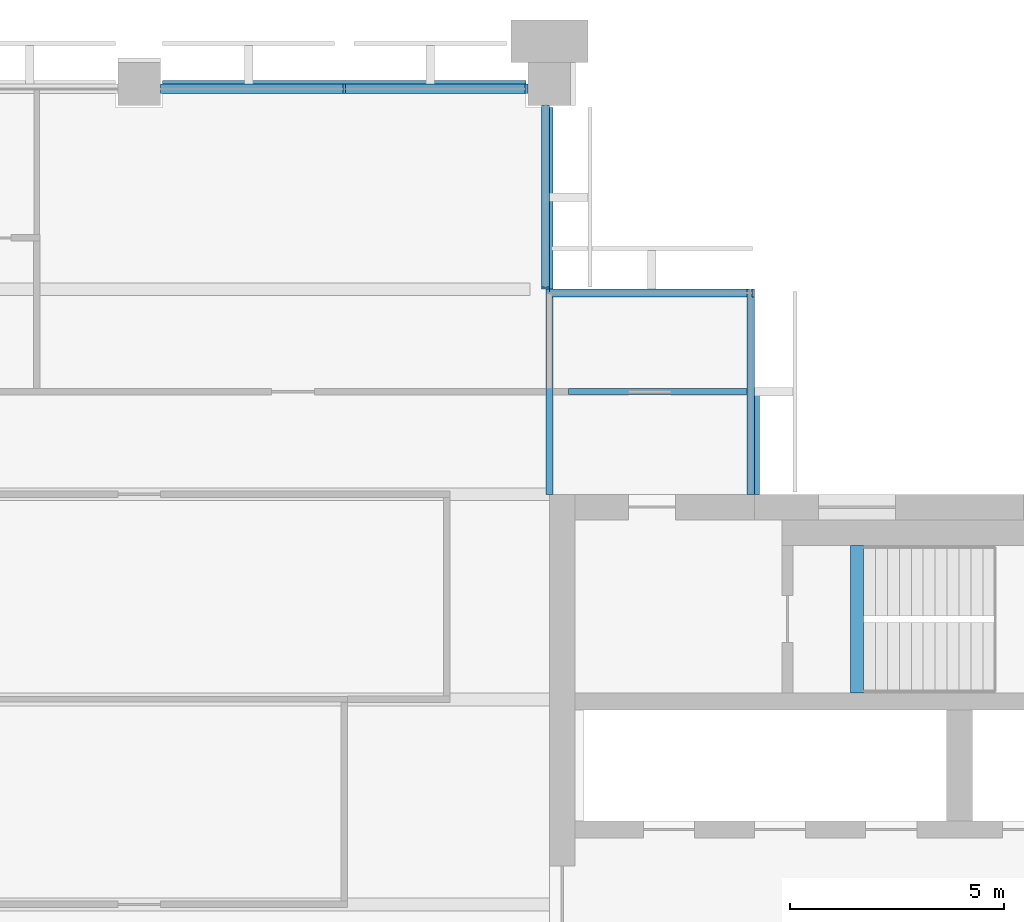
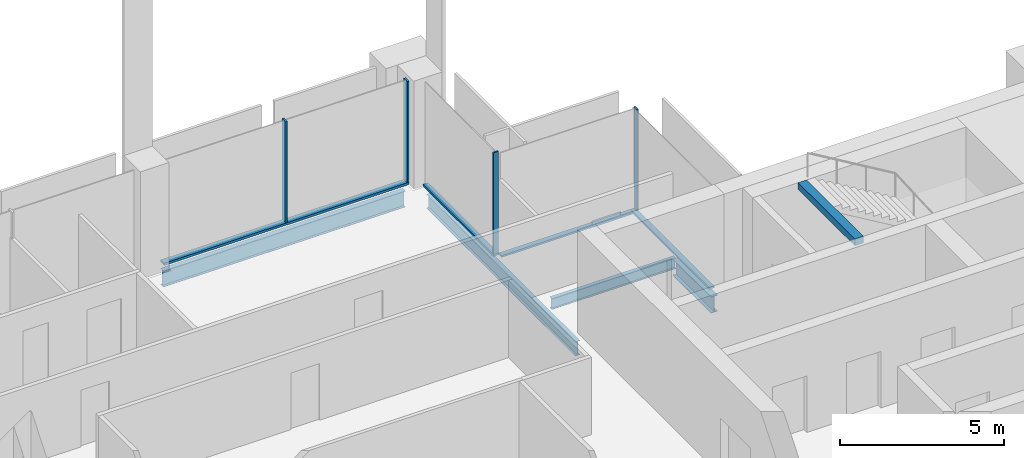
# One storey, part 6 of 12: 8 members, 5 beams, 4 elements without a shape of their own.
"""IFC4 building model written with IfcOpenShell, lengths in metres."""

import ifcopenshell
import ifcopenshell.guid

model = None  # the IFC model being written
_history = None  # IfcOwnerHistory: only IFC2X3 demands one
_inside = {}  # id of a spatial element -> (the spatial element, [elements in it])
_under = {}  # id of a project, library or spatial element -> (it, [spatial elements below it])
_declared = {}  # id of a project -> (the project, [libraries it declares])
_typed = {}  # id of a type object -> (the type object, [elements of that type])
_made_of = {}  # id of a material, layer set ... -> (it, [elements and type objects made of it])


def new_model(schema):
    """Start an empty IFC model of exactly this schema.

    Asked for "IFC4X3", IfcOpenShell would pick the latest addendum, in which some entities
    have other attributes; the version numbers below select the first issue.
    IFC2X3 requires an IfcOwnerHistory on every rooted entity: one is made here for all.
    """
    global model, _history
    if schema == "IFC4X3":
        model = ifcopenshell.file(schema_version=(4, 3, 0, 0))
    else:
        model = ifcopenshell.file(schema=schema)
    _inside.clear()
    _under.clear()
    _declared.clear()
    _typed.clear()
    _made_of.clear()
    _history = None
    if model.schema == "IFC2X3":
        org = make("IfcOrganization", Name="unknown")
        user = make(
            "IfcPersonAndOrganization",
            ThePerson=make("IfcPerson", FamilyName="unknown"),
            TheOrganization=org,
        )
        app = make(
            "IfcApplication",
            ApplicationDeveloper=org,
            Version="unknown",
            ApplicationFullName="unknown",
            ApplicationIdentifier="unknown",
        )
        _history = make(
            "IfcOwnerHistory",
            OwningUser=user,
            OwningApplication=app,
            ChangeAction="ADDED",
            CreationDate=0,
        )
    return model


def make(cls, **values):
    """One entity of the class cls with the attributes given. An attribute that is None is left unset."""
    return model.create_entity(
        cls, **{name: value for name, value in values.items() if value is not None}
    )


def rooted(cls, **values):
    """An entity with a GlobalId (a new one), such as an element, a storey or a relation."""
    return make(cls, GlobalId=ifcopenshell.guid.new(), OwnerHistory=_history, **values)


def si_unit(unit_type, name, prefix=None):
    """IfcSIUnit, for example si_unit("LENGTHUNIT", "METRE", prefix="MILLI")."""
    return make("IfcSIUnit", UnitType=unit_type, Prefix=prefix, Name=name)


def assignment(units):
    """IfcUnitAssignment: the units of a project."""
    return None if units is None else make("IfcUnitAssignment", Units=units)


def point(xyz):
    """IfcCartesianPoint."""
    return None if xyz is None else make("IfcCartesianPoint", Coordinates=xyz)


def direction(xyz):
    """IfcDirection."""
    return None if xyz is None else make("IfcDirection", DirectionRatios=xyz)


def frame(location, z_axis=None, x_axis=None):
    """IfcAxis2Placement3D, a coordinate frame: its origin and axes. An axis left out is left unset."""
    return make(
        "IfcAxis2Placement3D",
        Location=point(location),
        Axis=direction(z_axis),
        RefDirection=direction(x_axis),
    )


def frame_2d(location, x_axis=None):
    """IfcAxis2Placement2D, a coordinate frame in the plane: its origin and x axis."""
    return make(
        "IfcAxis2Placement2D", Location=point(location), RefDirection=direction(x_axis)
    )


def origin():
    """The frame at (0, 0, 0) with its axes left unset."""
    return frame((0.0, 0.0, 0.0))


def origin_2d():
    """The frame at (0, 0) in the plane with its x axis left unset."""
    return frame_2d((0.0, 0.0))


def place(relative_to, where):
    """IfcLocalPlacement: puts the frame where relative to a parent placement (None: the world)."""
    return make(
        "IfcLocalPlacement", PlacementRelTo=relative_to, RelativePlacement=where
    )


def context(
    kind, dimensions, precision=None, world=None, true_north=None, identifier=None
):
    """IfcGeometricRepresentationContext, for example the 3D "Model" context."""
    return make(
        "IfcGeometricRepresentationContext",
        ContextIdentifier=identifier,
        ContextType=kind,
        CoordinateSpaceDimension=dimensions,
        Precision=precision,
        WorldCoordinateSystem=world,
        TrueNorth=true_north,
    )


def subcontext(parent, identifier, kind, view, scale=None):
    """IfcGeometricRepresentationSubContext, for example "Body" below "Model"."""
    return make(
        "IfcGeometricRepresentationSubContext",
        ContextIdentifier=identifier,
        ContextType=kind,
        ParentContext=parent,
        TargetScale=scale,
        TargetView=view,
    )


def project(units=None, contexts=None):
    """IfcProject with its units and contexts."""
    return rooted(
        "IfcProject",
        Name="project",
        RepresentationContexts=contexts,
        UnitsInContext=assignment(units),
    )


def spatial(cls, under=None, at=None, **own):
    """A site, building, storey or space (cls), placed at a placement, below another one or the project."""
    s = rooted(cls, ObjectPlacement=at, **own)
    if under is not None:
        _under.setdefault(under.id(), (under, []))[1].append(s)
    return s


def profile(cls, at=None, kind="AREA", **sizes):
    """A parametric profile (cls). Its sizes go by their IFC names, for example OverallWidth=200.0."""
    return make(cls, ProfileType=kind, Position=at, **sizes)


def rectangle(**sizes):
    """IfcRectangleProfileDef."""
    return profile("IfcRectangleProfileDef", **sizes)


def i_section(**sizes):
    """IfcIShapeProfileDef."""
    return profile("IfcIShapeProfileDef", **sizes)


def extrude(swept, where, along, depth):
    """IfcExtrudedAreaSolid: the profile swept, set in the frame where, extruded along a direction by depth."""
    return make(
        "IfcExtrudedAreaSolid",
        SweptArea=swept,
        Position=where,
        ExtrudedDirection=direction(along),
        Depth=depth,
    )


def shape(context_of_items, identifier, shape_type, items):
    """IfcShapeRepresentation: the items that make up one representation, for example the "Body"."""
    return make(
        "IfcShapeRepresentation",
        ContextOfItems=context_of_items,
        RepresentationIdentifier=identifier,
        RepresentationType=shape_type,
        Items=items,
    )


def material(Name=None, Category=None):
    """IfcMaterial."""
    return make("IfcMaterial", Name=Name, Category=Category)


def material_profile(
    of_material, cross_section, Name=None, Category=None, Priority=None
):
    """IfcMaterialProfile: a cross section and its material."""
    return make(
        "IfcMaterialProfile",
        Name=Name,
        Material=of_material,
        Profile=cross_section,
        Priority=Priority,
        Category=Category,
    )


def profile_set(profiles, Name=None, composite=None):
    """IfcMaterialProfileSet."""
    return make(
        "IfcMaterialProfileSet",
        Name=Name,
        MaterialProfiles=profiles,
        CompositeProfile=composite,
    )


def made_of(thing, what):
    """Note that an element or type object is made of a material, layer set ...; save() writes the relation."""
    if what is not None:
        _made_of.setdefault(what.id(), (what, []))[1].append(thing)
    return thing


def type_object(cls, material=None, **own):
    """A type object (cls), such as IfcWallType, which elements share."""
    return made_of(rooted(cls, **own), material)


def element(
    cls,
    number,
    at=None,
    inside=None,
    cuts=None,
    type_object=None,
    material=None,
    context=None,
    identifier="Body",
    shape_type=None,
    held_by="IfcProductDefinitionShape",
    body=None,
    shapes=None,
    **own,
):
    """One element of the class cls, such as IfcWall. Its Tag is "e" and its number.

    at: its placement. inside: the storey or other place that contains it. cuts: it is an
    opening in that element (IfcRelVoidsElement). A single representation is given by context,
    identifier, shape_type and body (its items); several are given by shapes. held_by: the class
    of the entity that holds the representations. save() writes the other relations.
    """
    e = rooted(cls, Tag="e%d" % number, ObjectPlacement=at, **own)
    if body is not None:
        shapes = [shape(context, identifier, shape_type, body)]
    if shapes is not None:
        e.Representation = make(held_by, Representations=shapes)
    if inside is not None:
        _inside.setdefault(inside.id(), (inside, []))[1].append(e)
    if cuts is not None:
        rooted(
            "IfcRelVoidsElement", RelatingBuildingElement=cuts, RelatedOpeningElement=e
        )
    if type_object is not None:
        _typed.setdefault(type_object.id(), (type_object, []))[1].append(e)
    return made_of(e, material)


def aggregate(whole, parts):
    """IfcRelAggregates: a whole, such as a stair, and the parts it consists of."""
    return rooted("IfcRelAggregates", RelatingObject=whole, RelatedObjects=parts)


def save(model, path):
    """Write the relations noted so far, then the file.

    IfcRelAggregates (storeys below a building ...), IfcRelContainedInSpatialStructure (elements
    in a storey), IfcRelDefinesByType, IfcRelAssociatesMaterial and IfcRelDeclares: one each for
    every whole, place, type object, material and project.
    """
    for whole, parts in _under.values():
        aggregate(whole, parts)
    for where, things in _inside.values():
        rooted(
            "IfcRelContainedInSpatialStructure",
            RelatedElements=things,
            RelatingStructure=where,
        )
    for kind, things in _typed.values():
        rooted("IfcRelDefinesByType", RelatedObjects=things, RelatingType=kind)
    for what, things in _made_of.values():
        rooted("IfcRelAssociatesMaterial", RelatedObjects=things, RelatingMaterial=what)
    for by, libraries in _declared.values():
        rooted("IfcRelDeclares", RelatingContext=by, RelatedDefinitions=libraries)
    model.write(path)


model = new_model("IFC4")

# Units and contexts
model_context = context("Model", 3, precision=1e-05, world=origin(), true_north=direction((0.0, 1.0)))
body_context = subcontext(model_context, "Body", "Model", "MODEL_VIEW")
ifc_project = project(units=[si_unit("LENGTHUNIT", "METRE"), si_unit("AREAUNIT", "SQUARE_METRE"), si_unit("VOLUMEUNIT", "CUBIC_METRE"), si_unit("PLANEANGLEUNIT", "RADIAN"), si_unit("MASSUNIT", "GRAM", prefix="KILO")], contexts=[model_context])

# Site, building, storey
site_placement = place(None, origin())
site = spatial("IfcSite", under=ifc_project, at=site_placement, CompositionType="ELEMENT")
building_placement = place(site_placement, origin())
building = spatial("IfcBuilding", under=site, at=building_placement, Name="Baori Bourse Tower", CompositionType="ELEMENT")
storey_placement = place(building_placement, frame((0.0, 0.0, 282.300048828125)))
storey = spatial("IfcBuildingStorey", under=building, at=storey_placement, Name="L61", CompositionType="ELEMENT", Elevation=282.300048828125)

# Curtain wall, member
ifc_material_1 = material(Name="Pale anodised aluminium", Category="aluminium")
curtain_wall_type_1 = type_object("IfcCurtainWallType", Name="CW2 Curtain wall", PredefinedType="NOTDEFINED", material=ifc_material_1)
curtain_wall_1_placement = place(storey_placement, origin())
curtain_wall_1 = element("IfcCurtainWall", 1, at=curtain_wall_1_placement, inside=storey, type_object=curtain_wall_type_1, Name="Curtain wall CW2 L61 2", PredefinedType="NOTDEFINED")
ifc_material_2 = material(Name="Pale anodised aluminium", Category="aluminium")
ifc_material_profile_1 = material_profile(ifc_material_2, rectangle(XDim=0.179931640625, YDim=0.054931640625, at=origin_2d()), Name="Mullion 55x180")
ifc_profile_set_1 = profile_set([ifc_material_profile_1], Name="Pale anodised aluminium")
member_type_1 = type_object("IfcMemberType", Name="CW2 Curtain wall mullion", PredefinedType="MULLION", material=ifc_profile_set_1)
member_1_placement = place(storey_placement, frame((43.172607421875, 43.110107421875, 0.070068359375), z_axis=(0.0, 0.0, 1.0), x_axis=(0.0, -1.0, 0.0)))
member_1 = element("IfcMember", 2, at=member_1_placement, type_object=member_type_1, Name="Curtain wall CW2 mullion", PredefinedType="MULLION", context=body_context, shape_type="SweptSolid", body=[
    extrude(rectangle(XDim=0.179931640625, YDim=0.054931640625, at=origin_2d()), origin(), (0.0, 0.0, 1.0), 3.769775390625),
])

curtain_wall_2_placement = place(storey_placement, origin())
curtain_wall_2 = element("IfcCurtainWall", 3, at=curtain_wall_2_placement, inside=storey, type_object=curtain_wall_type_1, Name="Curtain wall CW2 L61 3", PredefinedType="NOTDEFINED")
member_2_placement = place(storey_placement, frame((38.31005859375, 43.2275390625, 0.070068359375), z_axis=(0.0, 0.0, 1.0), x_axis=(-1.0, 0.0, 0.0)))
member_2 = element("IfcMember", 4, at=member_2_placement, type_object=member_type_1, Name="Curtain wall CW2 mullion", PredefinedType="MULLION", context=body_context, shape_type="SweptSolid", body=[
    extrude(rectangle(XDim=0.179931640625, YDim=0.054931640625, at=origin_2d()), origin(), (0.0, 0.0, 1.0), 3.769775390625),
])

curtain_wall_3_placement = place(storey_placement, origin())
curtain_wall_3 = element("IfcCurtainWall", 5, at=curtain_wall_3_placement, inside=storey, type_object=curtain_wall_type_1, Name="Curtain wall CW2 L61 1", PredefinedType="NOTDEFINED")
ifc_material_3 = material(Name="Pale anodised aluminium", Category="aluminium")
ifc_material_profile_2 = material_profile(ifc_material_3, rectangle(XDim=0.179931640625, YDim=0.070068359375, at=origin_2d()), Name="Transom 70x180")
ifc_profile_set_2 = profile_set([ifc_material_profile_2], Name="Pale anodised aluminium")
member_type_2 = type_object("IfcMemberType", Name="CW2 Curtain wall transom", PredefinedType="USERDEFINED", material=ifc_profile_set_2)
member_3_placement = place(storey_placement, frame((43.110107421875, 38.39990234375, 0.034912109375), z_axis=(0.0, 1.0, 0.0), x_axis=(-1.0, 0.0, 0.0)))
member_3 = element("IfcMember", 6, at=member_3_placement, type_object=member_type_2, Name="Curtain wall CW2 sill rail", ObjectType="TRANSOM", PredefinedType="USERDEFINED", context=body_context, shape_type="SweptSolid", body=[
    extrude(rectangle(XDim=0.179931640625, YDim=0.070068359375, at=origin_2d()), origin(), (0.0, 0.0, 1.0), 4.800048828125),
])
aggregate(curtain_wall_3, [member_3])

# Member
member_4_placement = place(storey_placement, frame((43.199951171875, 43.110107421875, 0.034912109375), z_axis=(-1.0, 0.0, 0.0), x_axis=(0.0, -1.0, 0.0)))
member_4 = element("IfcMember", 7, at=member_4_placement, type_object=member_type_2, Name="Curtain wall CW2 sill rail", ObjectType="TRANSOM", PredefinedType="USERDEFINED", context=body_context, shape_type="SweptSolid", body=[
    extrude(rectangle(XDim=0.179931640625, YDim=0.070068359375, at=origin_2d()), origin(), (0.0, 0.0, 1.0), 4.800048828125),
])

aggregate(curtain_wall_1, [member_4, member_1])

member_5_placement = place(storey_placement, frame((38.31005859375, 43.199951171875, 0.034912109375), z_axis=(0.0, 1.0, 0.0), x_axis=(-1.0, 0.0, 0.0)))
member_5 = element("IfcMember", 8, at=member_5_placement, type_object=member_type_2, Name="Curtain wall CW2 sill rail", ObjectType="TRANSOM", PredefinedType="USERDEFINED", context=body_context, shape_type="SweptSolid", body=[
    extrude(rectangle(XDim=0.179931640625, YDim=0.070068359375, at=origin_2d()), origin(), (0.0, 0.0, 1.0), 4.300048828125),
])

aggregate(curtain_wall_2, [member_5, member_2])

# Curtain wall, members
ifc_material_4 = material(Name="Pale anodised aluminium", Category="aluminium")
curtain_wall_type_2 = type_object("IfcCurtainWallType", Name="CW5 Curtain wall", PredefinedType="NOTDEFINED", material=ifc_material_4)
curtain_wall_4_placement = place(storey_placement, origin())
curtain_wall_4 = element("IfcCurtainWall", 9, at=curtain_wall_4_placement, inside=storey, type_object=curtain_wall_type_2, Name="Curtain wall CW5 L61 4", PredefinedType="NOTDEFINED")
ifc_material_5 = material(Name="Pale anodised aluminium", Category="aluminium")
ifc_material_profile_3 = material_profile(ifc_material_5, rectangle(XDim=0.219970703125, YDim=0.06494140625, at=origin_2d()), Name="Mullion 65x220")
ifc_profile_set_3 = profile_set([ifc_material_profile_3], Name="Pale anodised aluminium")
member_type_3 = type_object("IfcMemberType", Name="CW5 Curtain wall mullion", PredefinedType="MULLION", material=ifc_profile_set_3)
member_6_placement = place(storey_placement, frame((37.867431640625, 47.889892578125, 0.0849609375), z_axis=(0.0, 0.0, 1.0), x_axis=(0.0, -1.0, 0.0)))
member_6 = element("IfcMember", 10, at=member_6_placement, type_object=member_type_3, Name="Curtain wall CW5 mullion", PredefinedType="MULLION", context=body_context, shape_type="SweptSolid", body=[
    extrude(rectangle(XDim=0.219970703125, YDim=0.06494140625, at=origin_2d()), origin(), (0.0, 0.0, 1.0), 3.7548828125),
])
member_7_placement = place(storey_placement, frame((33.60009765625, 47.889892578125, 0.0849609375), z_axis=(0.0, 0.0, 1.0), x_axis=(0.0, -1.0, 0.0)))
member_7 = element("IfcMember", 11, at=member_7_placement, type_object=member_type_3, Name="Curtain wall CW5 mullion", PredefinedType="MULLION", context=body_context, shape_type="SweptSolid", body=[
    extrude(rectangle(XDim=0.219970703125, YDim=0.06494140625, at=origin_2d()), origin(), (0.0, 0.0, 1.0), 3.7548828125),
])
ifc_material_6 = material(Name="Pale anodised aluminium", Category="aluminium")
ifc_material_profile_4 = material_profile(ifc_material_6, rectangle(XDim=0.219970703125, YDim=0.0849609375, at=origin_2d()), Name="Transom 85x220")
ifc_profile_set_4 = profile_set([ifc_material_profile_4], Name="Pale anodised aluminium")
member_type_4 = type_object("IfcMemberType", Name="CW5 Curtain wall transom", PredefinedType="USERDEFINED", material=ifc_profile_set_4)
member_8_placement = place(storey_placement, frame((37.89990234375, 47.889892578125, 0.04248046875), z_axis=(-1.0, 0.0, 0.0), x_axis=(0.0, -1.0, 0.0)))
member_8 = element("IfcMember", 12, at=member_8_placement, type_object=member_type_4, Name="Curtain wall CW5 sill rail", ObjectType="TRANSOM", PredefinedType="USERDEFINED", context=body_context, shape_type="SweptSolid", body=[
    extrude(rectangle(XDim=0.219970703125, YDim=0.0849609375, at=origin_2d()), origin(), (0.0, 0.0, 1.0), 8.599853515625),
])
aggregate(curtain_wall_4, [member_8, member_6, member_7])

# Beams
ifc_material_7 = material(Name="Steel A992 Gr 50", Category="steel")
ifc_material_profile_5 = material_profile(ifc_material_7, i_section(OverallWidth=0.22900390625, OverallDepth=0.612060546875, WebThickness=0.011962890625, FlangeThickness=0.01953125, at=origin_2d()), Name="W24x84")
ifc_profile_set_5 = profile_set([ifc_material_profile_5], Name="Steel A992 Gr 50")
beam_type_1 = type_object("IfcBeamType", Name="Core bracket W24x84", PredefinedType="BEAM", material=ifc_profile_set_5)
beam_1_placement = place(storey_placement, frame((43.199951171875, 38.39990234375, -0.606201171875), z_axis=(0.0, 1.0, 0.0), x_axis=(-1.0, 0.0, 0.0)))
element("IfcBeam", 13, at=beam_1_placement, inside=storey, type_object=beam_type_1, Name="Core bracket L61", PredefinedType="BEAM", context=body_context, shape_type="SweptSolid", body=[
    extrude(i_section(OverallWidth=0.22900390625, OverallDepth=0.612060546875, WebThickness=0.011962890625, FlangeThickness=0.01953125, at=origin_2d()), origin(), (0.0, 0.0, 1.0), 2.329833984375),
])
ifc_material_8 = material(Name="Steel A992 Gr 50", Category="steel")
ifc_material_profile_6 = material_profile(ifc_material_8, i_section(OverallWidth=0.177978515625, OverallDepth=0.599365234375, WebThickness=0.010009765625, FlangeThickness=0.012939453125, at=origin_2d()), Name="W24x55")
ifc_profile_set_6 = profile_set([ifc_material_profile_6], Name="Steel A992 Gr 50")
beam_type_2 = type_object("IfcBeamType", Name="Edge beam W24x55", PredefinedType="BEAM", material=ifc_profile_set_6)
beam_2_placement = place(storey_placement, frame((29.35009765625, 48.0, -0.599853515625), z_axis=(1.0, 0.0, 0.0), x_axis=(0.0, 1.0, 0.0)))
element("IfcBeam", 14, at=beam_2_placement, inside=storey, type_object=beam_type_2, Name="Edge beam L61", PredefinedType="BEAM", context=body_context, shape_type="SweptSolid", body=[
    extrude(i_section(OverallWidth=0.177978515625, OverallDepth=0.599365234375, WebThickness=0.010009765625, FlangeThickness=0.012939453125, at=origin_2d()), origin(), (0.0, 0.0, 1.0), 8.5),
])
ifc_material_9 = material(Name="Steel A992 Gr 50", Category="steel")
ifc_material_profile_7 = material_profile(ifc_material_9, i_section(OverallWidth=0.1650390625, OverallDepth=0.52587890625, WebThickness=0.0087890625, FlangeThickness=0.011474609375, at=origin_2d()), Name="W21x44")
ifc_profile_set_7 = profile_set([ifc_material_profile_7], Name="Steel A992 Gr 50")
beam_type_3 = type_object("IfcBeamType", Name="Girder W21x44", PredefinedType="BEAM", material=ifc_profile_set_7)
beam_3_placement = place(storey_placement, frame((38.39990234375, 38.39990234375, -0.56298828125), z_axis=(0.0, 1.0, 0.0), x_axis=(-1.0, 0.0, 0.0)))
element("IfcBeam", 15, at=beam_3_placement, inside=storey, type_object=beam_type_3, Name="Girder L61", PredefinedType="BEAM", context=body_context, shape_type="SweptSolid", body=[
    extrude(i_section(OverallWidth=0.1650390625, OverallDepth=0.52587890625, WebThickness=0.0087890625, FlangeThickness=0.011474609375, at=origin_2d()), origin(), (0.0, 0.0, 1.0), 9.050048828125),
])
ifc_material_10 = material(Name="Concrete f'c 50 MPa", Category="concrete")
ifc_material_profile_8 = material_profile(ifc_material_10, rectangle(XDim=0.300048828125, YDim=0.25, at=origin_2d()), Name="RC 300x250")
ifc_profile_set_8 = profile_set([ifc_material_profile_8], Name="Concrete f'c 50 MPa")
beam_type_4 = type_object("IfcBeamType", Name="Stair nib beam RC 300x250", PredefinedType="BEAM", material=ifc_profile_set_8)
beam_4_placement = place(storey_placement, frame((45.60009765625, 33.75, 3.71484375), z_axis=(0.0, 1.0, 0.0), x_axis=(-1.0, 0.0, 0.0)))
element("IfcBeam", 16, at=beam_4_placement, inside=storey, type_object=beam_type_4, Name="Stair EB nib beam L62", PredefinedType="BEAM", context=body_context, shape_type="SweptSolid", body=[
    extrude(rectangle(XDim=0.300048828125, YDim=0.25, at=origin_2d()), origin(), (0.0, 0.0, 1.0), 3.449951171875),
])
ifc_material_11 = material(Name="Steel A992 Gr 50", Category="steel")
ifc_material_profile_9 = material_profile(ifc_material_11, i_section(OverallWidth=0.140380859375, OverallDepth=0.40380859375, WebThickness=0.007080078125, FlangeThickness=0.01123046875, at=origin_2d()), Name="W16x31")
ifc_profile_set_9 = profile_set([ifc_material_profile_9], Name="Steel A992 Gr 50")
beam_type_5 = type_object("IfcBeamType", Name="Trimmer beam W16x31", PredefinedType="BEAM", material=ifc_profile_set_9)
beam_5_placement = place(storey_placement, frame((38.85009765625, 40.800048828125, -0.501953125), z_axis=(1.0, 0.0, 0.0), x_axis=(0.0, 1.0, 0.0)))
element("IfcBeam", 17, at=beam_5_placement, inside=storey, type_object=beam_type_5, Name="Trimmer beam L61", PredefinedType="BEAM", context=body_context, shape_type="SweptSolid", body=[
    extrude(i_section(OverallWidth=0.140380859375, OverallDepth=0.40380859375, WebThickness=0.007080078125, FlangeThickness=0.01123046875, at=origin_2d()), origin(), (0.0, 0.0, 1.0), 4.349853515625),
])

save(model, "model.ifc")
